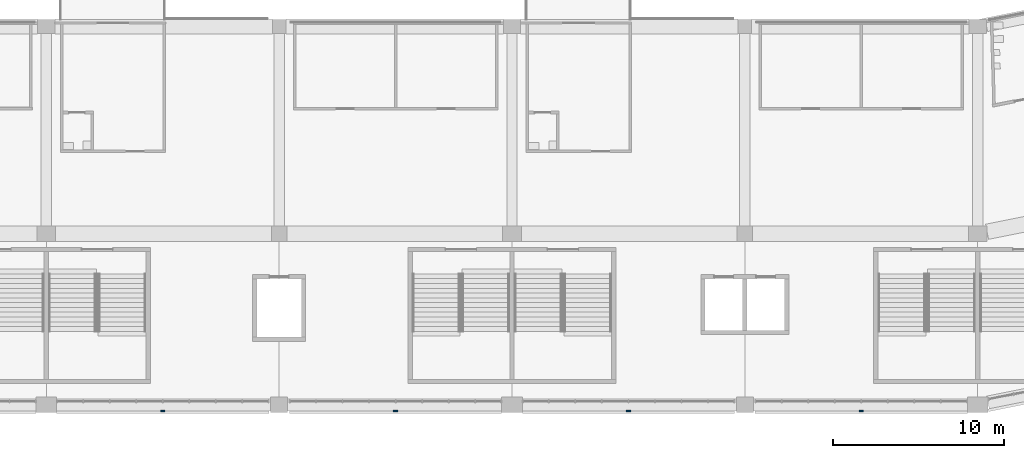
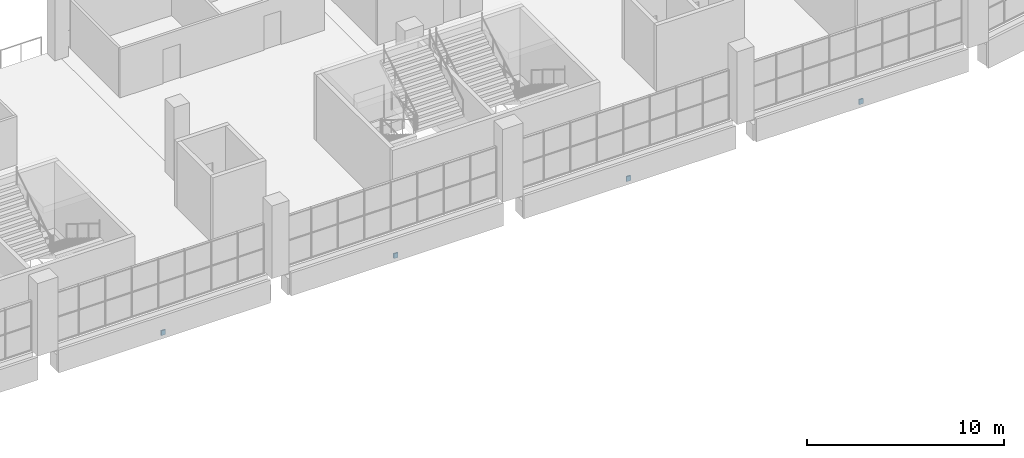
# One storey, part 91 of 199: 4 discrete accessories.
"""IFC4 building model written with IfcOpenShell, lengths in metres."""

from ifc_helpers import new_model, si_unit, direction, frame, origin, origin_2d, place, context, subcontext, project, spatial, rectangle, extrude, material, layer, layer_set, type_object, element, save


model = new_model("IFC4")

# Units and contexts
model_context = context("Model", 3, precision=1e-05, world=origin(), true_north=direction((0.0, 1.0)))
body_context = subcontext(model_context, "Body", "Model", "MODEL_VIEW")
ifc_project = project(units=[si_unit("LENGTHUNIT", "METRE"), si_unit("AREAUNIT", "SQUARE_METRE"), si_unit("VOLUMEUNIT", "CUBIC_METRE"), si_unit("PLANEANGLEUNIT", "RADIAN"), si_unit("MASSUNIT", "GRAM", prefix="KILO")], contexts=[model_context])

# Site, building, storey
site_placement = place(None, origin())
site = spatial("IfcSite", under=ifc_project, at=site_placement, CompositionType="ELEMENT")
building_placement = place(site_placement, origin())
building = spatial("IfcBuilding", under=site, at=building_placement, Name="Ogive Plaza Stadium", CompositionType="ELEMENT")
storey_placement = place(building_placement, frame((0.0, 0.0, 9.0)))
storey = spatial("IfcBuildingStorey", under=building, at=storey_placement, Name="L02", CompositionType="ELEMENT", Elevation=9.0)

# Discrete accessories
ifc_material = material(Name="Steel ASTM A572 Grade 50", Category="steel")
ifc_layer = layer(ifc_material, 0.080078125)
ifc_layer_set = layer_set([ifc_layer], Name="Steel ASTM A572 Grade 50")
discrete_accessory_type = type_object("IfcDiscreteAccessoryType", Name="Spandrel cladding bracket 250x300", PredefinedType="BRACKET", material=ifc_layer_set)
for number, where, z_axis, x_axis, name in (
    (1, (27.199951171875, -102.85009765625, -1.31005859375), (0.0, 0.0, 1.0), (-1.0, 0.0, 0.0), "SPANDREL BRACKET B12 L02"),
    (2, (13.60009765625, -102.85009765625, -1.31005859375), (0.0, 0.0, 1.0), (-1.0, 0.0, 0.0), "SPANDREL BRACKET B13 L02"),
    (3, (0.0, -102.85009765625, -1.31005859375), (0.0, 0.0, 1.0), (-1.0, 0.0, 0.0), "SPANDREL BRACKET B14 L02"),
    (4, (-13.60009765625, -102.85009765625, -1.31005859375), (0.0, 0.0, 1.0), (-1.0, 0.0, 0.0), "SPANDREL BRACKET B15 L02"),
):
    element("IfcDiscreteAccessory", number, at=place(storey_placement, frame(where, z_axis=z_axis, x_axis=x_axis)), inside=storey, type_object=discrete_accessory_type, Name=name, PredefinedType="BRACKET", context=body_context, shape_type="SweptSolid", body=[
        extrude(rectangle(XDim=0.25, YDim=0.080078125, at=origin_2d()), origin(), (0.0, 0.0, 1.0), 0.300048828125),
    ])

save(model, "model.ifc")
